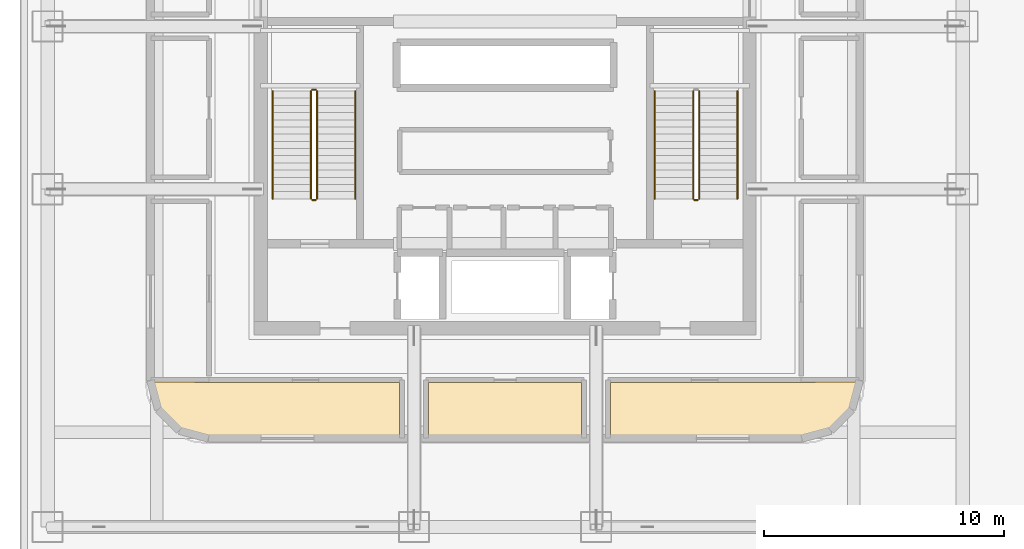
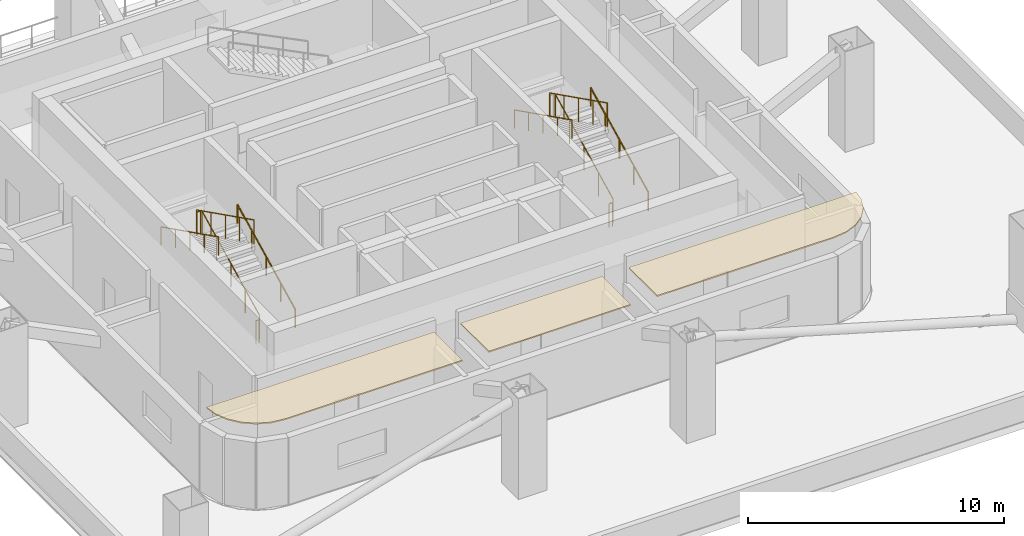
# One storey, part 9 of 11: 11 railings, 3 coverings.
"""IFC4 building model written with IfcOpenShell, lengths in metres."""

from ifc_helpers import new_model, si_unit, direction, frame, origin, origin_2d, place, context, subcontext, project, spatial, polyline, circle, outline, extrude, material, layer, layer_set, type_object, element, save


model = new_model("IFC4")

# Units and contexts
model_context = context("Model", 3, precision=1e-05, world=origin(), true_north=direction((0.0, 1.0)))
body_context = subcontext(model_context, "Body", "Model", "MODEL_VIEW")
ifc_project = project(units=[si_unit("LENGTHUNIT", "METRE"), si_unit("AREAUNIT", "SQUARE_METRE"), si_unit("VOLUMEUNIT", "CUBIC_METRE"), si_unit("PLANEANGLEUNIT", "RADIAN"), si_unit("MASSUNIT", "GRAM", prefix="KILO")], contexts=[model_context])

# Site, building, storey
site_placement = place(None, origin())
site = spatial("IfcSite", under=ifc_project, at=site_placement, CompositionType="ELEMENT")
building_placement = place(site_placement, origin())
building = spatial("IfcBuilding", under=site, at=building_placement, Name="Punatoya Terracotta Tower", CompositionType="ELEMENT")
storey_placement = place(building_placement, frame((0.0, 0.0, 237.0)))
storey = spatial("IfcBuildingStorey", under=building, at=storey_placement, Name="L56", CompositionType="ELEMENT", Elevation=237.0)

# Coverings
ifc_material_1 = material(Name="Acoustic Mineral Fibre Ceiling")
ifc_layer = layer(ifc_material_1, 0.06005859375)
ifc_layer_set = layer_set([ifc_layer], Name="Acoustic Mineral Fibre Ceiling")
covering_type = type_object("IfcCoveringType", Name="COV-CEIL-60", PredefinedType="CEILING", material=ifc_layer_set)
covering_1_placement = place(storey_placement, frame((0.0, 0.0, 3.8701171875)))
element("IfcCovering", 1, at=covering_1_placement, inside=storey, type_object=covering_type, Name="L56 Designated Pressurized Refuge Area South (West Bay) Acoustic Ceiling", PredefinedType="CEILING", context=body_context, shape_type="SweptSolid", body=[
    extrude(outline(polyline([(-12.4599609375, -11.4599609375), (-14.670654296875, -11.449951171875), (-14.599609375, -11.989501953125), (-14.372314453125, -12.53857421875), (-14.01025390625, -13.01025390625), (-13.53857421875, -13.372314453125), (-12.989501953125, -13.599609375), (-12.37890625, -13.679931640625), (-4.39990234375, -13.679931640625), (-4.39990234375, -11.4599609375), (-12.4599609375, -11.4599609375)])), origin(), (0.0, 0.0, 1.0), 0.059814453125),
])
covering_2_placement = place(storey_placement, frame((0.0, 0.0, 3.8701171875)))
element("IfcCovering", 2, at=covering_2_placement, inside=storey, type_object=covering_type, Name="L56 Designated Pressurized Refuge Area South (Central Bay) Acoustic Ceiling", PredefinedType="CEILING", context=body_context, shape_type="SweptSolid", body=[
    extrude(outline(polyline([(3.199951171875, -13.679931640625), (3.199951171875, -11.4599609375), (-3.199951171875, -11.4599609375), (-3.199951171875, -13.679931640625), (3.199951171875, -13.679931640625)])), origin(), (0.0, 0.0, 1.0), 0.059814453125),
])
covering_3_placement = place(storey_placement, frame((0.0, 0.0, 3.8701171875)))
element("IfcCovering", 3, at=covering_3_placement, inside=storey, type_object=covering_type, Name="L56 Designated Pressurized Refuge Area South (East Bay) Acoustic Ceiling", PredefinedType="CEILING", context=body_context, shape_type="SweptSolid", body=[
    extrude(outline(polyline([(12.4599609375, -11.4599609375), (4.39990234375, -11.4599609375), (4.39990234375, -13.679931640625), (12.37890625, -13.679931640625), (12.989501953125, -13.599609375), (13.53857421875, -13.372314453125), (14.01025390625, -13.01025390625), (14.372314453125, -12.53857421875), (14.599609375, -11.989501953125), (14.670654296875, -11.449951171875), (12.4599609375, -11.4599609375)])), origin(), (0.0, 0.0, 1.0), 0.059814453125),
])

# Railings
ifc_material_2 = material(Name="Steel S355", Category="steel")
railing_type_1 = type_object("IfcRailingType", Name="RLG-GRD-1150", PredefinedType="GUARDRAIL", material=ifc_material_2)
railing_1_placement = place(storey_placement, frame((-7.85009765625, -3.800048828125, 0.14990234375)))
element("IfcRailing", 4, at=railing_1_placement, inside=storey, type_object=railing_type_1, Name="L56 ST-1 stair guard 1", PredefinedType="GUARDRAIL", context=body_context, shape_type="SweptSolid", body=[
    extrude(circle(Radius=0.02392578125, at=origin_2d()), frame((0.0, 0.0, 1.1259765625), z_axis=(0.0, 0.894427191, 0.4472135955), x_axis=(-1.0, 0.0, 0.0)), (0.0, 0.0, 1.0), 5.03125),
    extrude(circle(Radius=0.02099609375, at=origin_2d()), origin(), (0.0, 0.0, 1.0), 1.101806640625),
    extrude(circle(Radius=0.02099609375, at=origin_2d()), frame((0.0, 1.125, 0.5625)), (0.0, 0.0, 1.0), 1.101806640625),
    extrude(circle(Radius=0.02099609375, at=origin_2d()), frame((0.0, 2.25, 1.125)), (0.0, 0.0, 1.0), 1.101806640625),
    extrude(circle(Radius=0.02099609375, at=origin_2d()), frame((0.0, 3.375, 1.6875)), (0.0, 0.0, 1.0), 1.101806640625),
    extrude(circle(Radius=0.02099609375, at=origin_2d()), frame((0.0, 4.5, 2.25)), (0.0, 0.0, 1.0), 1.101806640625),
])
railing_2_placement = place(storey_placement, frame((-7.89990234375, 0.75, 2.39990234375)))
element("IfcRailing", 5, at=railing_2_placement, inside=storey, type_object=railing_type_1, Name="L56 ST-1 stair guard 2", PredefinedType="GUARDRAIL", context=body_context, shape_type="SweptSolid", body=[
    extrude(circle(Radius=0.02392578125, at=origin_2d()), frame((0.0, 0.0, 1.1259765625), z_axis=(-1.0, 0.0, 0.0), x_axis=(0.0, -1.0, 0.0)), (0.0, 0.0, 1.0), 0.150146484375),
    extrude(circle(Radius=0.02099609375, at=origin_2d()), origin(), (0.0, 0.0, 1.0), 1.101806640625),
    extrude(circle(Radius=0.02099609375, at=origin_2d()), frame((-0.150146484375, 0.0, 0.0)), (0.0, 0.0, 1.0), 1.101806640625),
])
railing_3_placement = place(storey_placement, frame((-8.10009765625, 0.699951171875, 2.550048828125)))
element("IfcRailing", 6, at=railing_3_placement, inside=storey, type_object=railing_type_1, Name="L56 ST-1 stair guard 3", PredefinedType="GUARDRAIL", context=body_context, shape_type="SweptSolid", body=[
    extrude(circle(Radius=0.02392578125, at=origin_2d()), frame((0.0, 0.0, 1.1259765625), z_axis=(0.0, -0.894427191, 0.4472135955), x_axis=(1.0, 0.0, 0.0)), (0.0, 0.0, 1.0), 5.03125),
    extrude(circle(Radius=0.02099609375, at=origin_2d()), origin(), (0.0, 0.0, 1.0), 1.101806640625),
    extrude(circle(Radius=0.02099609375, at=origin_2d()), frame((0.0, -1.125, 0.5625)), (0.0, 0.0, 1.0), 1.101806640625),
    extrude(circle(Radius=0.02099609375, at=origin_2d()), frame((0.0, -2.25, 1.125)), (0.0, 0.0, 1.0), 1.101806640625),
    extrude(circle(Radius=0.02099609375, at=origin_2d()), frame((0.0, -3.375, 1.6875)), (0.0, 0.0, 1.0), 1.101806640625),
    extrude(circle(Radius=0.02099609375, at=origin_2d()), frame((0.0, -4.5, 2.25)), (0.0, 0.0, 1.0), 1.101806640625),
])
railing_4_placement = place(storey_placement, frame((-7.89990234375, -3.85009765625, 0.0)))
element("IfcRailing", 7, at=railing_4_placement, inside=storey, type_object=railing_type_1, Name="L56 ST-1 stair guard 4", PredefinedType="GUARDRAIL", context=body_context, shape_type="SweptSolid", body=[
    extrude(circle(Radius=0.02392578125, at=origin_2d()), frame((0.0, 0.0, 1.1259765625), z_axis=(-1.0, 0.0, 0.0), x_axis=(0.0, -1.0, 0.0)), (0.0, 0.0, 1.0), 0.150146484375),
    extrude(circle(Radius=0.02099609375, at=origin_2d()), origin(), (0.0, 0.0, 1.0), 1.101806640625),
    extrude(circle(Radius=0.02099609375, at=origin_2d()), frame((-0.150146484375, 0.0, 0.0)), (0.0, 0.0, 1.0), 1.101806640625),
])
railing_5_placement = place(storey_placement, frame((8.10009765625, -3.800048828125, 0.14990234375)))
element("IfcRailing", 8, at=railing_5_placement, inside=storey, type_object=railing_type_1, Name="L56 ST-2 stair guard 1", PredefinedType="GUARDRAIL", context=body_context, shape_type="SweptSolid", body=[
    extrude(circle(Radius=0.02392578125, at=origin_2d()), frame((0.0, 0.0, 1.1259765625), z_axis=(0.0, 0.894427191, 0.4472135955), x_axis=(-1.0, 0.0, 0.0)), (0.0, 0.0, 1.0), 5.03125),
    extrude(circle(Radius=0.02099609375, at=origin_2d()), origin(), (0.0, 0.0, 1.0), 1.101806640625),
    extrude(circle(Radius=0.02099609375, at=origin_2d()), frame((0.0, 1.125, 0.5625)), (0.0, 0.0, 1.0), 1.101806640625),
    extrude(circle(Radius=0.02099609375, at=origin_2d()), frame((0.0, 2.25, 1.125)), (0.0, 0.0, 1.0), 1.101806640625),
    extrude(circle(Radius=0.02099609375, at=origin_2d()), frame((0.0, 3.375, 1.6875)), (0.0, 0.0, 1.0), 1.101806640625),
    extrude(circle(Radius=0.02099609375, at=origin_2d()), frame((0.0, 4.5, 2.25)), (0.0, 0.0, 1.0), 1.101806640625),
])
railing_6_placement = place(storey_placement, frame((7.85009765625, 0.699951171875, 2.550048828125)))
element("IfcRailing", 9, at=railing_6_placement, inside=storey, type_object=railing_type_1, Name="L56 ST-2 stair guard 3", PredefinedType="GUARDRAIL", context=body_context, shape_type="SweptSolid", body=[
    extrude(circle(Radius=0.02392578125, at=origin_2d()), frame((0.0, 0.0, 1.1259765625), z_axis=(0.0, -0.894427191, 0.4472135955), x_axis=(1.0, 0.0, 0.0)), (0.0, 0.0, 1.0), 5.03125),
    extrude(circle(Radius=0.02099609375, at=origin_2d()), origin(), (0.0, 0.0, 1.0), 1.101806640625),
    extrude(circle(Radius=0.02099609375, at=origin_2d()), frame((0.0, -1.125, 0.5625)), (0.0, 0.0, 1.0), 1.101806640625),
    extrude(circle(Radius=0.02099609375, at=origin_2d()), frame((0.0, -2.25, 1.125)), (0.0, 0.0, 1.0), 1.101806640625),
    extrude(circle(Radius=0.02099609375, at=origin_2d()), frame((0.0, -3.375, 1.6875)), (0.0, 0.0, 1.0), 1.101806640625),
    extrude(circle(Radius=0.02099609375, at=origin_2d()), frame((0.0, -4.5, 2.25)), (0.0, 0.0, 1.0), 1.101806640625),
])
railing_7_placement = place(storey_placement, frame((8.050048828125, -3.85009765625, 0.0)))
element("IfcRailing", 10, at=railing_7_placement, inside=storey, type_object=railing_type_1, Name="L56 ST-2 stair guard 4", PredefinedType="GUARDRAIL", context=body_context, shape_type="SweptSolid", body=[
    extrude(circle(Radius=0.02392578125, at=origin_2d()), frame((0.0, 0.0, 1.1259765625), z_axis=(-1.0, 0.0, 0.0), x_axis=(0.0, -1.0, 0.0)), (0.0, 0.0, 1.0), 0.150146484375),
    extrude(circle(Radius=0.02099609375, at=origin_2d()), origin(), (0.0, 0.0, 1.0), 1.101806640625),
    extrude(circle(Radius=0.02099609375, at=origin_2d()), frame((-0.150146484375, 0.0, 0.0)), (0.0, 0.0, 1.0), 1.101806640625),
])
railing_type_2 = type_object("IfcRailingType", Name="RLG-HND-900", PredefinedType="HANDRAIL", material=ifc_material_2)
railing_8_placement = place(storey_placement, frame((-6.25, -3.800048828125, 0.14990234375)))
element("IfcRailing", 11, at=railing_8_placement, inside=storey, type_object=railing_type_2, Name="L56 ST-1 stair handrail 1", PredefinedType="HANDRAIL", context=body_context, shape_type="SweptSolid", body=[
    extrude(circle(Radius=0.02392578125, at=origin_2d()), frame((0.0, 0.0, 0.8759765625), z_axis=(0.0, 0.894427191, 0.4472135955), x_axis=(-1.0, 0.0, 0.0)), (0.0, 0.0, 1.0), 5.03125),
    extrude(circle(Radius=0.02099609375, at=origin_2d()), origin(), (0.0, 0.0, 1.0), 0.851806640625),
    extrude(circle(Radius=0.02099609375, at=origin_2d()), frame((0.0, 1.125, 0.5625)), (0.0, 0.0, 1.0), 0.851806640625),
    extrude(circle(Radius=0.02099609375, at=origin_2d()), frame((0.0, 2.25, 1.125)), (0.0, 0.0, 1.0), 0.851806640625),
    extrude(circle(Radius=0.02099609375, at=origin_2d()), frame((0.0, 3.375, 1.6875)), (0.0, 0.0, 1.0), 0.851806640625),
    extrude(circle(Radius=0.02099609375, at=origin_2d()), frame((0.0, 4.5, 2.25)), (0.0, 0.0, 1.0), 0.851806640625),
])
railing_9_placement = place(storey_placement, frame((-9.699951171875, 0.699951171875, 2.550048828125)))
element("IfcRailing", 12, at=railing_9_placement, inside=storey, type_object=railing_type_2, Name="L56 ST-1 stair handrail 2", PredefinedType="HANDRAIL", context=body_context, shape_type="SweptSolid", body=[
    extrude(circle(Radius=0.02392578125, at=origin_2d()), frame((0.0, 0.0, 0.8759765625), z_axis=(0.0, -0.894427191, 0.4472135955), x_axis=(1.0, 0.0, 0.0)), (0.0, 0.0, 1.0), 5.03125),
    extrude(circle(Radius=0.02099609375, at=origin_2d()), origin(), (0.0, 0.0, 1.0), 0.851806640625),
    extrude(circle(Radius=0.02099609375, at=origin_2d()), frame((0.0, -1.125, 0.5625)), (0.0, 0.0, 1.0), 0.851806640625),
    extrude(circle(Radius=0.02099609375, at=origin_2d()), frame((0.0, -2.25, 1.125)), (0.0, 0.0, 1.0), 0.851806640625),
    extrude(circle(Radius=0.02099609375, at=origin_2d()), frame((0.0, -3.375, 1.6875)), (0.0, 0.0, 1.0), 0.851806640625),
    extrude(circle(Radius=0.02099609375, at=origin_2d()), frame((0.0, -4.5, 2.25)), (0.0, 0.0, 1.0), 0.851806640625),
])
railing_10_placement = place(storey_placement, frame((9.699951171875, -3.800048828125, 0.14990234375)))
element("IfcRailing", 13, at=railing_10_placement, inside=storey, type_object=railing_type_2, Name="L56 ST-2 stair handrail 1", PredefinedType="HANDRAIL", context=body_context, shape_type="SweptSolid", body=[
    extrude(circle(Radius=0.02392578125, at=origin_2d()), frame((0.0, 0.0, 0.8759765625), z_axis=(0.0, 0.894427191, 0.4472135955), x_axis=(-1.0, 0.0, 0.0)), (0.0, 0.0, 1.0), 5.03125),
    extrude(circle(Radius=0.02099609375, at=origin_2d()), origin(), (0.0, 0.0, 1.0), 0.851806640625),
    extrude(circle(Radius=0.02099609375, at=origin_2d()), frame((0.0, 1.125, 0.5625)), (0.0, 0.0, 1.0), 0.851806640625),
    extrude(circle(Radius=0.02099609375, at=origin_2d()), frame((0.0, 2.25, 1.125)), (0.0, 0.0, 1.0), 0.851806640625),
    extrude(circle(Radius=0.02099609375, at=origin_2d()), frame((0.0, 3.375, 1.6875)), (0.0, 0.0, 1.0), 0.851806640625),
    extrude(circle(Radius=0.02099609375, at=origin_2d()), frame((0.0, 4.5, 2.25)), (0.0, 0.0, 1.0), 0.851806640625),
])
railing_11_placement = place(storey_placement, frame((6.25, 0.699951171875, 2.550048828125)))
element("IfcRailing", 14, at=railing_11_placement, inside=storey, type_object=railing_type_2, Name="L56 ST-2 stair handrail 2", PredefinedType="HANDRAIL", context=body_context, shape_type="SweptSolid", body=[
    extrude(circle(Radius=0.02392578125, at=origin_2d()), frame((0.0, 0.0, 0.8759765625), z_axis=(0.0, -0.894427191, 0.4472135955), x_axis=(1.0, 0.0, 0.0)), (0.0, 0.0, 1.0), 5.03125),
    extrude(circle(Radius=0.02099609375, at=origin_2d()), origin(), (0.0, 0.0, 1.0), 0.851806640625),
    extrude(circle(Radius=0.02099609375, at=origin_2d()), frame((0.0, -1.125, 0.5625)), (0.0, 0.0, 1.0), 0.851806640625),
    extrude(circle(Radius=0.02099609375, at=origin_2d()), frame((0.0, -2.25, 1.125)), (0.0, 0.0, 1.0), 0.851806640625),
    extrude(circle(Radius=0.02099609375, at=origin_2d()), frame((0.0, -3.375, 1.6875)), (0.0, 0.0, 1.0), 0.851806640625),
    extrude(circle(Radius=0.02099609375, at=origin_2d()), frame((0.0, -4.5, 2.25)), (0.0, 0.0, 1.0), 0.851806640625),
])

save(model, "model.ifc")
